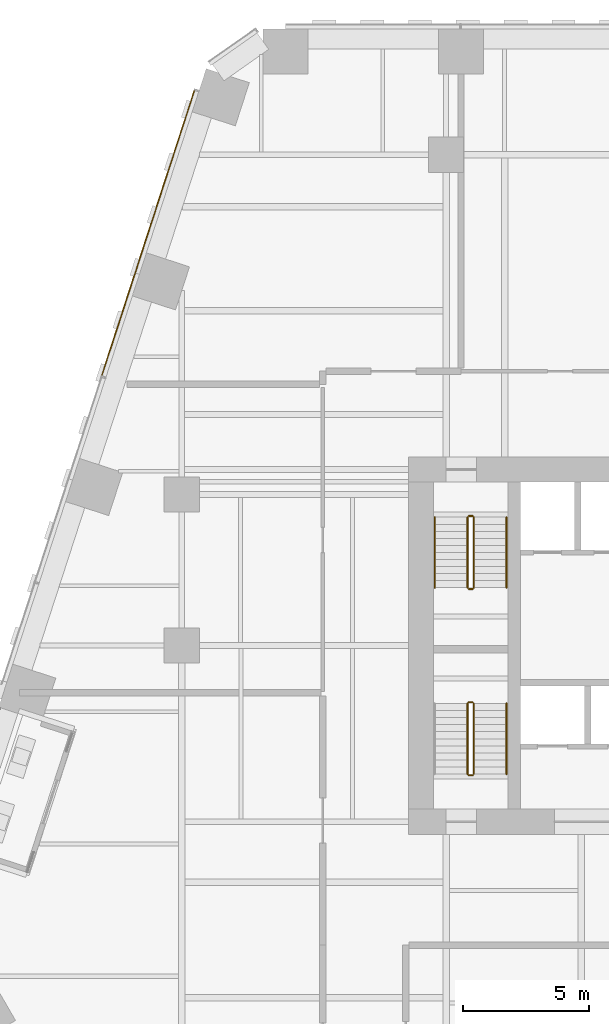
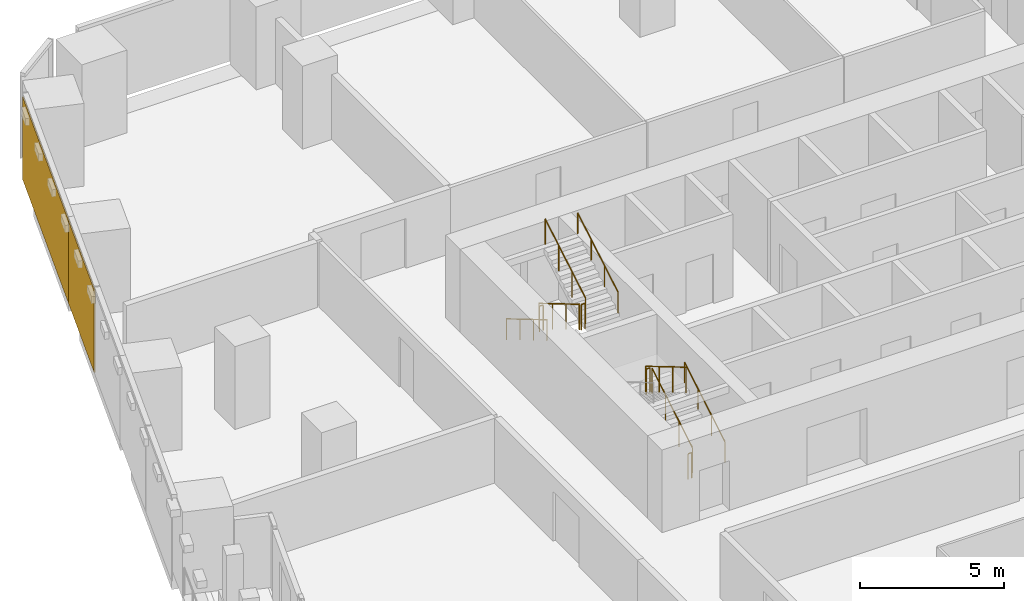
# One storey, part 28 of 31: 11 railings, 2 coverings, 1 element without a shape of its own.
"""IFC4 building model written with IfcOpenShell, lengths in metres."""

from ifc_helpers import new_model, si_unit, direction, frame, origin, origin_2d, place, context, subcontext, project, spatial, rectangle, circle, extrude, material, layer, layer_set, type_object, element, aggregate, save


model = new_model("IFC4")

# Units and contexts
model_context = context("Model", 3, precision=1e-05, world=origin(), true_north=direction((0.0, 1.0)))
body_context = subcontext(model_context, "Body", "Model", "MODEL_VIEW")
ifc_project = project(units=[si_unit("LENGTHUNIT", "METRE"), si_unit("AREAUNIT", "SQUARE_METRE"), si_unit("VOLUMEUNIT", "CUBIC_METRE"), si_unit("PLANEANGLEUNIT", "RADIAN"), si_unit("MASSUNIT", "GRAM", prefix="KILO")], contexts=[model_context])

# Site, building, storey
site_placement = place(None, origin())
site = spatial("IfcSite", under=ifc_project, at=site_placement, CompositionType="ELEMENT")
building_placement = place(site_placement, origin())
building = spatial("IfcBuilding", under=site, at=building_placement, Name="Isthmus Gate Tower", CompositionType="ELEMENT")
storey_placement = place(building_placement, frame((0.0, 0.0, 39.64990234375)))
storey = spatial("IfcBuildingStorey", under=building, at=storey_placement, Name="L07", CompositionType="ELEMENT", Elevation=39.64990234375)

# Curtain wall, coverings
ifc_material_1 = material(Name="Aluminium, pale champagne anodised", Category="aluminium")
ifc_layer_1 = layer(ifc_material_1, 0.199951171875)
ifc_layer_set_1 = layer_set([ifc_layer_1], Name="CW-1 UNITISED CURTAIN WALL 200 DEEP")
curtain_wall_type = type_object("IfcCurtainWallType", Name="CW-1 UNITISED CURTAIN WALL 200 DEEP", PredefinedType="NOTDEFINED", material=ifc_layer_set_1)
curtain_wall_placement = place(storey_placement, origin())
curtain_wall = element("IfcCurtainWall", 1, at=curtain_wall_placement, inside=storey, type_object=curtain_wall_type, Name="CW-1 NW L07", PredefinedType="NOTDEFINED")
ifc_material_2 = material(Name="Aluminium composite panel, pale champagne anodised", Category="aluminium")
ifc_layer_2 = layer(ifc_material_2, 0.0400390625)
ifc_layer_set_2 = layer_set([ifc_layer_2], Name="CW-1 PALE METAL PANEL 40")
covering_type = type_object("IfcCoveringType", Name="CW-1 PALE METAL PANEL 40", PredefinedType="CLADDING", material=ifc_layer_set_2)
covering_1_placement = place(storey_placement, frame((-24.67578125, 25.9296875, 0.0), z_axis=(0.0, 0.0, 1.0), x_axis=(-0.309016994375, -0.951056516295, 0.0)))
covering_1 = element("IfcCovering", 2, at=covering_1_placement, type_object=covering_type, Name="CW-1 pale metal panel", PredefinedType="CLADDING", context=body_context, shape_type="SweptSolid", body=[
    extrude(rectangle(XDim=7.62939453125, YDim=0.0400390625, at=origin_2d()), origin(), (0.0, 0.0, 1.0), 3.5),
])
covering_2_placement = place(storey_placement, frame((-26.51806640625, 20.25927734375, 0.0), z_axis=(0.0, 0.0, 1.0), x_axis=(-0.309016994375, -0.951056516295, 0.0)))
covering_2 = element("IfcCovering", 3, at=covering_2_placement, type_object=covering_type, Name="CW-1 pale metal panel", PredefinedType="CLADDING", context=body_context, shape_type="SweptSolid", body=[
    extrude(rectangle(XDim=4.294677734375, YDim=0.0400390625, at=origin_2d()), origin(), (0.0, 0.0, 1.0), 3.5),
])
aggregate(curtain_wall, [covering_1, covering_2])

# Railings
ifc_material_3 = material(Name="Stainless steel balustrade", Category="steel")
railing_type_1 = type_object("IfcRailingType", Name="STAIR GUARD 1100", PredefinedType="GUARDRAIL", material=ifc_material_3)
railing_1_placement = place(storey_placement, frame((-12.64990234375, 12.60009765625, 0.166015625)))
element("IfcRailing", 4, at=railing_1_placement, inside=storey, type_object=railing_type_1, Name="L07 ST1 stair guard 1", PredefinedType="GUARDRAIL", context=body_context, shape_type="SweptSolid", body=[
    extrude(circle(Radius=0.02392578125, at=origin_2d()), frame((0.0, 0.0, 1.076171875), z_axis=(0.0, -0.860306154799, 0.50977771628), x_axis=(1.0, 0.0, 0.0)), (0.0, 0.0, 1.0), 3.254638671875),
    extrude(circle(Radius=0.02099609375, at=origin_2d()), origin(), (0.0, 0.0, 1.0), 1.052001953125),
    extrude(circle(Radius=0.02099609375, at=origin_2d()), frame((0.0, -0.933349609375, 0.552978515625)), (0.0, 0.0, 1.0), 1.052001953125),
    extrude(circle(Radius=0.02099609375, at=origin_2d()), frame((0.0, -1.86669921875, 1.106201171875)), (0.0, 0.0, 1.0), 1.052001953125),
    extrude(circle(Radius=0.02099609375, at=origin_2d()), frame((0.0, -2.800048828125, 1.6591796875)), (0.0, 0.0, 1.0), 1.052001953125),
])
railing_2_placement = place(storey_placement, frame((-12.60009765625, 9.75, 1.8251953125)))
element("IfcRailing", 5, at=railing_2_placement, inside=storey, type_object=railing_type_1, Name="L07 ST1 stair guard 2", PredefinedType="GUARDRAIL", context=body_context, shape_type="SweptSolid", body=[
    extrude(circle(Radius=0.02392578125, at=origin_2d()), frame((0.0, 0.0, 1.076171875), z_axis=(1.0, 0.0, 0.0), x_axis=(0.0, 1.0, 0.0)), (0.0, 0.0, 1.0), 0.150146484375),
    extrude(circle(Radius=0.02099609375, at=origin_2d()), origin(), (0.0, 0.0, 1.0), 1.052001953125),
    extrude(circle(Radius=0.02099609375, at=origin_2d()), frame((0.150146484375, 0.0, 0.0)), (0.0, 0.0, 1.0), 1.052001953125),
])
railing_3_placement = place(storey_placement, frame((-12.39990234375, 9.800048828125, 1.990966796875)))
element("IfcRailing", 6, at=railing_3_placement, inside=storey, type_object=railing_type_1, Name="L07 ST1 stair guard 3", PredefinedType="GUARDRAIL", context=body_context, shape_type="SweptSolid", body=[
    extrude(circle(Radius=0.02392578125, at=origin_2d()), frame((0.0, 0.0, 1.076171875), z_axis=(0.0, 0.860306154799, 0.50977771628), x_axis=(-1.0, 0.0, 0.0)), (0.0, 0.0, 1.0), 3.254638671875),
    extrude(circle(Radius=0.02099609375, at=origin_2d()), origin(), (0.0, 0.0, 1.0), 1.052001953125),
    extrude(circle(Radius=0.02099609375, at=origin_2d()), frame((0.0, 0.933349609375, 0.552978515625)), (0.0, 0.0, 1.0), 1.052001953125),
    extrude(circle(Radius=0.02099609375, at=origin_2d()), frame((0.0, 1.86669921875, 1.106201171875)), (0.0, 0.0, 1.0), 1.052001953125),
    extrude(circle(Radius=0.02099609375, at=origin_2d()), frame((0.0, 2.800048828125, 1.6591796875)), (0.0, 0.0, 1.0), 1.052001953125),
])
railing_4_placement = place(storey_placement, frame((-12.60009765625, 12.64990234375, 0.0)))
element("IfcRailing", 7, at=railing_4_placement, inside=storey, type_object=railing_type_1, Name="L07 ST1 stair guard 4", PredefinedType="GUARDRAIL", context=body_context, shape_type="SweptSolid", body=[
    extrude(circle(Radius=0.02392578125, at=origin_2d()), frame((0.0, 0.0, 1.076171875), z_axis=(1.0, 0.0, 0.0), x_axis=(0.0, 1.0, 0.0)), (0.0, 0.0, 1.0), 0.150146484375),
    extrude(circle(Radius=0.02099609375, at=origin_2d()), origin(), (0.0, 0.0, 1.0), 1.052001953125),
    extrude(circle(Radius=0.02099609375, at=origin_2d()), frame((0.150146484375, 0.0, 0.0)), (0.0, 0.0, 1.0), 1.052001953125),
])
railing_5_placement = place(storey_placement, frame((-12.39990234375, 2.39990234375, 0.166015625)))
element("IfcRailing", 8, at=railing_5_placement, inside=storey, type_object=railing_type_1, Name="L07 ST7 stair guard 1", PredefinedType="GUARDRAIL", context=body_context, shape_type="SweptSolid", body=[
    extrude(circle(Radius=0.02392578125, at=origin_2d()), frame((0.0, 0.0, 1.076171875), z_axis=(0.0, 0.860306154799, 0.50977771628), x_axis=(-1.0, 0.0, 0.0)), (0.0, 0.0, 1.0), 3.254638671875),
    extrude(circle(Radius=0.02099609375, at=origin_2d()), origin(), (0.0, 0.0, 1.0), 1.052001953125),
    extrude(circle(Radius=0.02099609375, at=origin_2d()), frame((0.0, 0.933349609375, 0.552978515625)), (0.0, 0.0, 1.0), 1.052001953125),
    extrude(circle(Radius=0.02099609375, at=origin_2d()), frame((0.0, 1.86669921875, 1.106201171875)), (0.0, 0.0, 1.0), 1.052001953125),
    extrude(circle(Radius=0.02099609375, at=origin_2d()), frame((0.0, 2.800048828125, 1.6591796875)), (0.0, 0.0, 1.0), 1.052001953125),
])
railing_6_placement = place(storey_placement, frame((-12.449951171875, 5.25, 1.8251953125)))
element("IfcRailing", 9, at=railing_6_placement, inside=storey, type_object=railing_type_1, Name="L07 ST7 stair guard 2", PredefinedType="GUARDRAIL", context=body_context, shape_type="SweptSolid", body=[
    extrude(circle(Radius=0.02392578125, at=origin_2d()), frame((0.0, 0.0, 1.076171875), z_axis=(-1.0, 0.0, 0.0), x_axis=(0.0, -1.0, 0.0)), (0.0, 0.0, 1.0), 0.150146484375),
    extrude(circle(Radius=0.02099609375, at=origin_2d()), origin(), (0.0, 0.0, 1.0), 1.052001953125),
    extrude(circle(Radius=0.02099609375, at=origin_2d()), frame((-0.150146484375, 0.0, 0.0)), (0.0, 0.0, 1.0), 1.052001953125),
])
railing_7_placement = place(storey_placement, frame((-12.64990234375, 5.199951171875, 1.990966796875)))
element("IfcRailing", 10, at=railing_7_placement, inside=storey, type_object=railing_type_1, Name="L07 ST7 stair guard 3", PredefinedType="GUARDRAIL", context=body_context, shape_type="SweptSolid", body=[
    extrude(circle(Radius=0.02392578125, at=origin_2d()), frame((0.0, 0.0, 1.076171875), z_axis=(0.0, -0.860306154799, 0.50977771628), x_axis=(1.0, 0.0, 0.0)), (0.0, 0.0, 1.0), 3.254638671875),
    extrude(circle(Radius=0.02099609375, at=origin_2d()), origin(), (0.0, 0.0, 1.0), 1.052001953125),
    extrude(circle(Radius=0.02099609375, at=origin_2d()), frame((0.0, -0.933349609375, 0.552978515625)), (0.0, 0.0, 1.0), 1.052001953125),
    extrude(circle(Radius=0.02099609375, at=origin_2d()), frame((0.0, -1.86669921875, 1.106201171875)), (0.0, 0.0, 1.0), 1.052001953125),
    extrude(circle(Radius=0.02099609375, at=origin_2d()), frame((0.0, -2.800048828125, 1.6591796875)), (0.0, 0.0, 1.0), 1.052001953125),
])
railing_8_placement = place(storey_placement, frame((-12.449951171875, 2.35009765625, 0.0)))
element("IfcRailing", 11, at=railing_8_placement, inside=storey, type_object=railing_type_1, Name="L07 ST7 stair guard 4", PredefinedType="GUARDRAIL", context=body_context, shape_type="SweptSolid", body=[
    extrude(circle(Radius=0.02392578125, at=origin_2d()), frame((0.0, 0.0, 1.076171875), z_axis=(-1.0, 0.0, 0.0), x_axis=(0.0, -1.0, 0.0)), (0.0, 0.0, 1.0), 0.150146484375),
    extrude(circle(Radius=0.02099609375, at=origin_2d()), origin(), (0.0, 0.0, 1.0), 1.052001953125),
    extrude(circle(Radius=0.02099609375, at=origin_2d()), frame((-0.150146484375, 0.0, 0.0)), (0.0, 0.0, 1.0), 1.052001953125),
])
ifc_material_4 = material(Name="Stainless steel handrail", Category="steel")
railing_type_2 = type_object("IfcRailingType", Name="STAIR HANDRAIL 900", PredefinedType="HANDRAIL", material=ifc_material_4)
railing_9_placement = place(storey_placement, frame((-13.949951171875, 12.60009765625, 0.166015625)))
element("IfcRailing", 12, at=railing_9_placement, inside=storey, type_object=railing_type_2, Name="L07 ST1 stair handrail 1", PredefinedType="HANDRAIL", context=body_context, shape_type="SweptSolid", body=[
    extrude(circle(Radius=0.02392578125, at=origin_2d()), frame((0.0, 0.0, 0.8759765625), z_axis=(0.0, -0.860306154799, 0.50977771628), x_axis=(1.0, 0.0, 0.0)), (0.0, 0.0, 1.0), 3.254638671875),
    extrude(circle(Radius=0.02099609375, at=origin_2d()), origin(), (0.0, 0.0, 1.0), 0.851806640625),
    extrude(circle(Radius=0.02099609375, at=origin_2d()), frame((0.0, -0.933349609375, 0.552978515625)), (0.0, 0.0, 1.0), 0.851806640625),
    extrude(circle(Radius=0.02099609375, at=origin_2d()), frame((0.0, -1.86669921875, 1.106201171875)), (0.0, 0.0, 1.0), 0.851806640625),
    extrude(circle(Radius=0.02099609375, at=origin_2d()), frame((0.0, -2.800048828125, 1.6591796875)), (0.0, 0.0, 1.0), 0.851806640625),
])
for number, where, name in (
    (13, (-11.10009765625, 9.800048828125, 1.990966796875), "L07 ST1 stair handrail 2"),
    (14, (-11.10009765625, 2.39990234375, 0.166015625), "L07 ST7 stair handrail 1"),
):
    element("IfcRailing", number, at=place(storey_placement, frame(where)), inside=storey, type_object=railing_type_2, Name=name, PredefinedType="HANDRAIL", context=body_context, shape_type="SweptSolid", body=[
        extrude(circle(Radius=0.02392578125, at=origin_2d()), frame((0.0, 0.0, 0.8759765625), z_axis=(0.0, 0.860306154799, 0.50977771628), x_axis=(-1.0, 0.0, 0.0)), (0.0, 0.0, 1.0), 3.254638671875),
        extrude(circle(Radius=0.02099609375, at=origin_2d()), origin(), (0.0, 0.0, 1.0), 0.851806640625),
        extrude(circle(Radius=0.02099609375, at=origin_2d()), frame((0.0, 0.933349609375, 0.552978515625)), (0.0, 0.0, 1.0), 0.851806640625),
        extrude(circle(Radius=0.02099609375, at=origin_2d()), frame((0.0, 1.86669921875, 1.106201171875)), (0.0, 0.0, 1.0), 0.851806640625),
        extrude(circle(Radius=0.02099609375, at=origin_2d()), frame((0.0, 2.800048828125, 1.6591796875)), (0.0, 0.0, 1.0), 0.851806640625),
    ])

save(model, "model.ifc")
